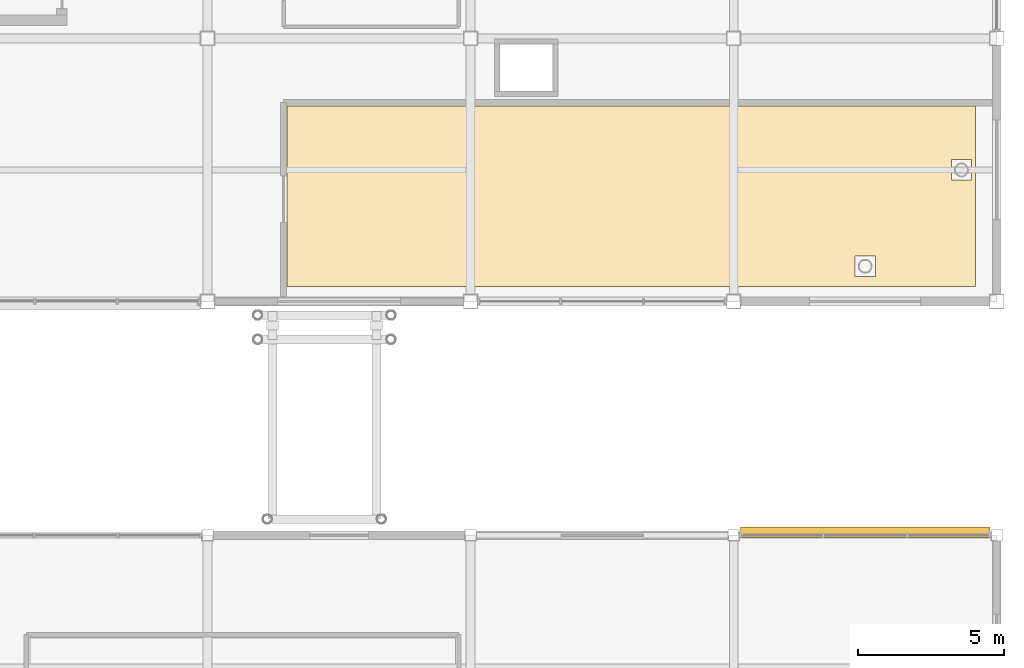
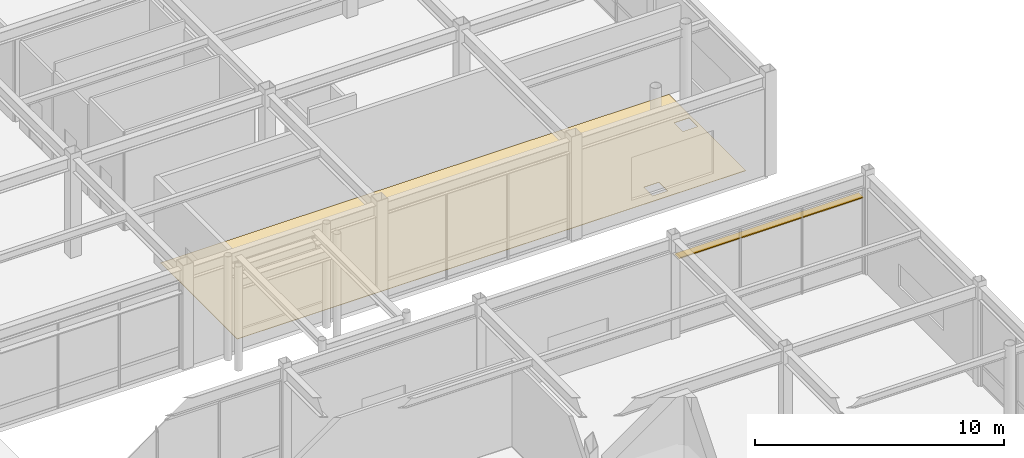
# One storey, part 120 of 123: 1 covering, 1 shading device.
"""IFC4 building model written with IfcOpenShell, lengths in metres."""

from ifc_helpers import new_model, si_unit, direction, frame, origin, origin_2d, place, context, subcontext, project, spatial, polyline, rectangle, outline, extrude, material, layer, layer_set, material_profile, profile_set, type_object, element, save


model = new_model("IFC4")

# Units and contexts
model_context = context("Model", 3, precision=1e-05, world=origin(), true_north=direction((0.0, 1.0)))
body_context = subcontext(model_context, "Body", "Model", "MODEL_VIEW")
ifc_project = project(units=[si_unit("LENGTHUNIT", "METRE"), si_unit("AREAUNIT", "SQUARE_METRE"), si_unit("VOLUMEUNIT", "CUBIC_METRE"), si_unit("PLANEANGLEUNIT", "RADIAN"), si_unit("MASSUNIT", "GRAM", prefix="KILO")], contexts=[model_context])

# Site, building, storey
site_placement = place(None, origin())
site = spatial("IfcSite", under=ifc_project, at=site_placement, CompositionType="ELEMENT")
building_placement = place(site_placement, origin())
building = spatial("IfcBuilding", under=site, at=building_placement, Name="Suzunagisa Mobility Hub", CompositionType="ELEMENT")
storey_placement = place(building_placement, origin())
storey = spatial("IfcBuildingStorey", under=building, at=storey_placement, Name="L00", CompositionType="ELEMENT", Elevation=0.0)

# Covering
ifc_material_1 = material(Name="Polished Aggregate Terrazzo Finish")
ifc_layer = layer(ifc_material_1, 0.02001953125)
ifc_layer_set = layer_set([ifc_layer], Name="Polished Aggregate Terrazzo Finish")
covering_type = type_object("IfcCoveringType", Name="Polished Terrazzo Heavy-Traffic Flooring FLR-01", PredefinedType="FLOORING", material=ifc_layer_set)
covering_placement = place(storey_placement, origin())
element("IfcCovering", 1, at=covering_placement, inside=storey, type_object=covering_type, Name="L00 Central Fire Command and Disaster Prevention Bosai Room Terrazzo Flooring", PredefinedType="FLOORING", context=body_context, shape_type="SweptSolid", body=[
    extrude(outline(polyline([(179.280029296875, 44.52001953125), (155.719970703125, 44.52001953125), (155.719970703125, 50.679931640625), (179.280029296875, 50.679931640625), (179.280029296875, 44.52001953125)]), holes=[polyline([(175.8486328125, 45.554443359375), (175.1513671875, 45.554443359375), (175.1513671875, 44.857177734375), (175.8486328125, 44.857177734375), (175.8486328125, 45.554443359375)]), polyline([(179.142822265625, 48.1513671875), (179.142822265625, 48.8486328125), (178.445556640625, 48.8486328125), (178.445556640625, 48.1513671875), (179.142822265625, 48.1513671875)])]), origin(), (0.0, 0.0, 1.0), 0.02001953125),
])

# Shading device
ifc_material_2 = material(Name="Fluoropolymer-Coated Extruded Aluminum 6063-T5", Category="aluminium")
ifc_material_profile = material_profile(ifc_material_2, rectangle(XDim=0.360107421875, YDim=0.050048828125, at=origin_2d()), Name="FIN-360x50")
ifc_profile_set = profile_set([ifc_material_profile], Name="Fluoropolymer-Coated Extruded Aluminum 6063-T5")
shading_device_type = type_object("IfcShadingDeviceType", Name="Streamline Aluminum Sunshade SF-01 FIN-360x50", PredefinedType="SHUTTER", material=ifc_profile_set)
shading_device_placement = place(storey_placement, frame((179.767578125, 36.110107421875, 3.739990234375), z_axis=(-1.0, 0.0, 0.0), x_axis=(0.0, -1.0, 0.0)))
element("IfcShadingDevice", 2, at=shading_device_placement, inside=storey, type_object=shading_device_type, Name="L00 Streamline Speed-Rail Sunshade Fin SF-31", PredefinedType="SHUTTER", context=body_context, shape_type="SweptSolid", body=[
    extrude(rectangle(XDim=0.360107421875, YDim=0.050048828125, at=origin_2d()), origin(), (0.0, 0.0, 1.0), 8.53515625),
])

save(model, "model.ifc")
